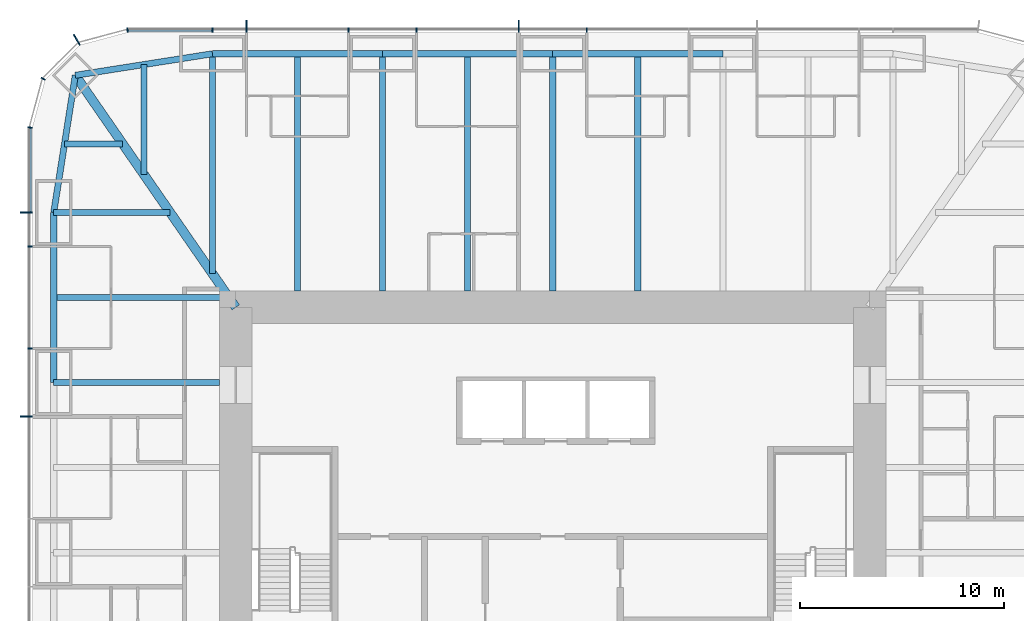
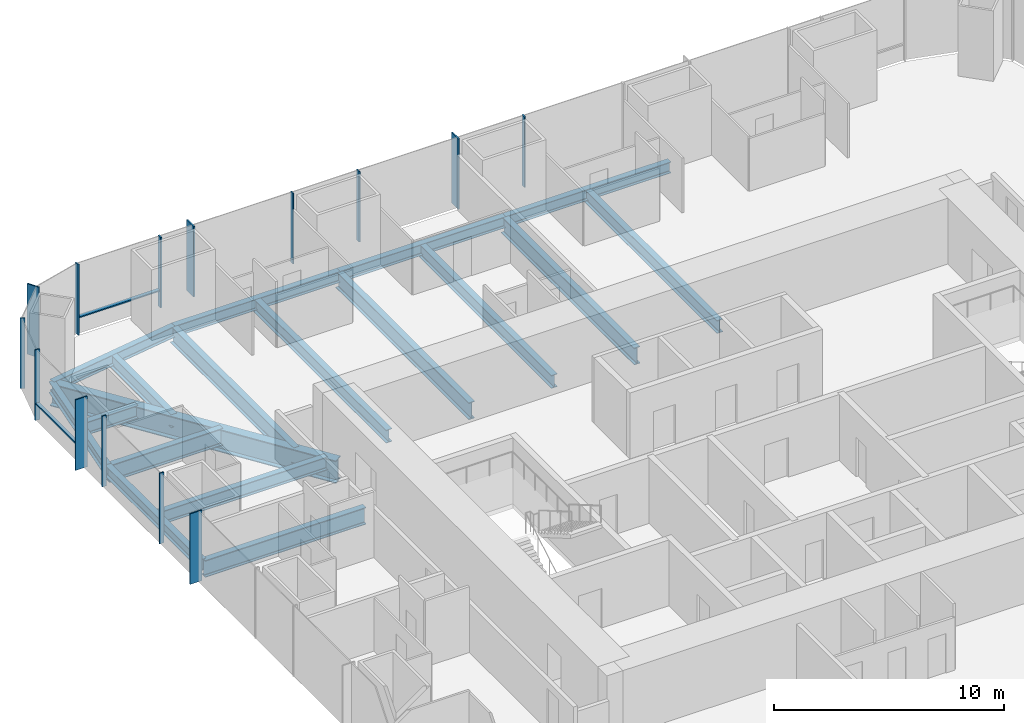
# One storey, part 5 of 13: 18 beams, 16 members, 3 elements without a shape of their own.
"""IFC4 building model written with IfcOpenShell, lengths in metres."""

from ifc_helpers import new_model, si_unit, direction, frame, origin, origin_2d, place, context, subcontext, project, spatial, rectangle, i_section, extrude, material, material_profile, profile_set, type_object, element, aggregate, save


model = new_model("IFC4")

# Units and contexts
model_context = context("Model", 3, precision=1e-05, world=origin(), true_north=direction((0.0, 1.0)))
body_context = subcontext(model_context, "Body", "Model", "MODEL_VIEW")
ifc_project = project(units=[si_unit("LENGTHUNIT", "METRE"), si_unit("AREAUNIT", "SQUARE_METRE"), si_unit("VOLUMEUNIT", "CUBIC_METRE"), si_unit("PLANEANGLEUNIT", "RADIAN"), si_unit("MASSUNIT", "GRAM", prefix="KILO")], contexts=[model_context])

# Site, building, storey
site_placement = place(None, origin())
site = spatial("IfcSite", under=ifc_project, at=site_placement, CompositionType="ELEMENT")
building_placement = place(site_placement, origin())
building = spatial("IfcBuilding", under=site, at=building_placement, Name="Khuree Lantern Residences", CompositionType="ELEMENT")
storey_placement = place(building_placement, frame((0.0, 0.0, 267.0)))
storey = spatial("IfcBuildingStorey", under=building, at=storey_placement, Name="L67", CompositionType="ELEMENT", Elevation=267.0)

# Beams
ifc_material_1 = material(Name="Steel S355", Category="steel")
ifc_material_profile_1 = material_profile(ifc_material_1, i_section(OverallWidth=0.300048828125, OverallDepth=0.68994140625, WebThickness=0.014404296875, FlangeThickness=0.027099609375, FilletRadius=0.027099609375, at=origin_2d()), Name="HE 700 A")
ifc_profile_set_1 = profile_set([ifc_material_profile_1], Name="Steel S355")
beam_type_1 = type_object("IfcBeamType", Name="B-35 SECONDARY BEAM HE 700 A", PredefinedType="BEAM", material=ifc_profile_set_1)
for number, where, z_axis, x_axis, name in (
    (1, (-12.47998046875, 24.39990234375, -0.594970703125), (0.0, -1.0, 0.0), (1.0, 0.0, 0.0), "Secondary beam N1"),
    (2, (-4.159912109375, 24.39990234375, -0.594970703125), (0.0, -1.0, 0.0), (1.0, 0.0, 0.0), "Secondary beam N2"),
    (3, (4.159912109375, 24.39990234375, -0.594970703125), (0.0, -1.0, 0.0), (1.0, 0.0, 0.0), "Secondary beam N3"),
):
    element("IfcBeam", number, at=place(storey_placement, frame(where, z_axis=z_axis, x_axis=x_axis)), inside=storey, type_object=beam_type_1, Name=name, PredefinedType="BEAM", context=body_context, shape_type="SweptSolid", body=[
        extrude(i_section(OverallWidth=0.300048828125, OverallDepth=0.68994140625, WebThickness=0.014404296875, FlangeThickness=0.027099609375, FilletRadius=0.027099609375, at=origin_2d()), origin(), (0.0, 0.0, 1.0), 11.599853515625),
    ])
beam_1_placement = place(storey_placement, frame((-24.39990234375, 12.47998046875, -0.594970703125), z_axis=(1.0, 0.0, 0.0), x_axis=(0.0, 1.0, 0.0)))
element("IfcBeam", 4, at=beam_1_placement, inside=storey, type_object=beam_type_1, Name="Secondary beam W5", PredefinedType="BEAM", context=body_context, shape_type="SweptSolid", body=[
    extrude(i_section(OverallWidth=0.300048828125, OverallDepth=0.68994140625, WebThickness=0.014404296875, FlangeThickness=0.027099609375, FilletRadius=0.027099609375, at=origin_2d()), origin(), (0.0, 0.0, 1.0), 8.56787109375),
])
beam_2_placement = place(storey_placement, frame((-23.872802734375, 19.992919921875, -0.594970703125), z_axis=(1.0, 0.0, 0.0), x_axis=(0.0, 1.0, 0.0)))
element("IfcBeam", 5, at=beam_2_placement, inside=storey, type_object=beam_type_1, Name="Secondary beam W6", PredefinedType="BEAM", context=body_context, shape_type="SweptSolid", body=[
    extrude(i_section(OverallWidth=0.300048828125, OverallDepth=0.68994140625, WebThickness=0.014404296875, FlangeThickness=0.027099609375, FilletRadius=0.027099609375, at=origin_2d()), origin(), (0.0, 0.0, 1.0), 2.845703125),
])
beam_3_placement = place(storey_placement, frame((-19.992919921875, 23.872802734375, -0.594970703125), z_axis=(0.0, -1.0, 0.0), x_axis=(1.0, 0.0, 0.0)))
element("IfcBeam", 6, at=beam_3_placement, inside=storey, type_object=beam_type_1, Name="Secondary beam N6", PredefinedType="BEAM", context=body_context, shape_type="SweptSolid", body=[
    extrude(i_section(OverallWidth=0.300048828125, OverallDepth=0.68994140625, WebThickness=0.014404296875, FlangeThickness=0.027099609375, FilletRadius=0.027099609375, at=origin_2d()), origin(), (0.0, 0.0, 1.0), 5.375732421875),
])
ifc_material_profile_2 = material_profile(ifc_material_1, i_section(OverallWidth=0.300048828125, OverallDepth=0.590087890625, WebThickness=0.012939453125, FlangeThickness=0.02490234375, FilletRadius=0.027099609375, at=origin_2d()), Name="HE 600 A")
ifc_profile_set_2 = profile_set([ifc_material_profile_2], Name="Steel S355")
beam_type_2 = type_object("IfcBeamType", Name="E-35 SPANDREL BEAM HE 600 A", PredefinedType="SPANDREL", material=ifc_profile_set_2)
beam_4_placement = place(storey_placement, frame((-16.639892578125, 24.39990234375, -0.544921875), z_axis=(1.0, 0.0, 0.0), x_axis=(0.0, 1.0, 0.0)))
element("IfcBeam", 7, at=beam_4_placement, inside=storey, type_object=beam_type_2, Name="Spandrel beam N1", PredefinedType="SPANDREL", context=body_context, shape_type="SweptSolid", body=[
    extrude(i_section(OverallWidth=0.300048828125, OverallDepth=0.590087890625, WebThickness=0.012939453125, FlangeThickness=0.02490234375, FilletRadius=0.027099609375, at=origin_2d()), origin(), (0.0, 0.0, 1.0), 8.31982421875),
])
for number, where, z_axis, x_axis, name in (
    (8, (-8.320068359375, 24.39990234375, -0.544921875), (1.0, 0.0, 0.0), (0.0, 1.0, 0.0), "Spandrel beam N2"),
    (9, (0.0, 24.39990234375, -0.544921875), (1.0, 0.0, 0.0), (0.0, 1.0, 0.0), "Spandrel beam N3"),
):
    element("IfcBeam", number, at=place(storey_placement, frame(where, z_axis=z_axis, x_axis=x_axis)), inside=storey, type_object=beam_type_2, Name=name, PredefinedType="SPANDREL", context=body_context, shape_type="SweptSolid", body=[
        extrude(i_section(OverallWidth=0.300048828125, OverallDepth=0.590087890625, WebThickness=0.012939453125, FlangeThickness=0.02490234375, FilletRadius=0.027099609375, at=origin_2d()), origin(), (0.0, 0.0, 1.0), 8.320068359375),
    ])
beam_5_placement = place(storey_placement, frame((-24.39990234375, 8.320068359375, -0.544921875), z_axis=(0.0, 1.0, 0.0), x_axis=(-1.0, 0.0, 0.0)))
element("IfcBeam", 10, at=beam_5_placement, inside=storey, type_object=beam_type_2, Name="Spandrel beam W5", PredefinedType="SPANDREL", context=body_context, shape_type="SweptSolid", body=[
    extrude(i_section(OverallWidth=0.300048828125, OverallDepth=0.590087890625, WebThickness=0.012939453125, FlangeThickness=0.02490234375, FilletRadius=0.027099609375, at=origin_2d()), origin(), (0.0, 0.0, 1.0), 8.31982421875),
])
for number, where, z_axis, x_axis, name in (
    (11, (-24.39990234375, 16.639892578125, -0.544921875), (0.155299507442, 0.98786743189, 0.0), (-0.98786743189, 0.155299507442, 0.0), "Spandrel beam W6"),
    (12, (-23.345703125, 23.345703125, -0.544921875), (0.98786743189, 0.155299507442, 0.0), (-0.155299507442, 0.98786743189, 0.0), "Spandrel beam N6"),
):
    element("IfcBeam", number, at=place(storey_placement, frame(where, z_axis=z_axis, x_axis=x_axis)), inside=storey, type_object=beam_type_2, Name=name, PredefinedType="SPANDREL", context=body_context, shape_type="SweptSolid", body=[
        extrude(i_section(OverallWidth=0.300048828125, OverallDepth=0.590087890625, WebThickness=0.012939453125, FlangeThickness=0.02490234375, FilletRadius=0.027099609375, at=origin_2d()), origin(), (0.0, 0.0, 1.0), 6.7880859375),
    ])

# Curtain wall, members
ifc_material_2 = material(Name="Bronze anodised aluminium", Category="aluminium")
curtain_wall_type_1 = type_object("IfcCurtainWallType", Name="CW-T1 TOWER FACE CURTAIN WALL", PredefinedType="USERDEFINED", material=ifc_material_2)
curtain_wall_1_placement = place(storey_placement, origin())
curtain_wall_1 = element("IfcCurtainWall", 13, at=curtain_wall_1_placement, inside=storey, type_object=curtain_wall_type_1, Name="L67 NORTH FACE CURTAIN WALL", ObjectType="Stick-built curtain wall", PredefinedType="USERDEFINED")
ifc_material_profile_3 = material_profile(ifc_material_2, rectangle(XDim=0.06494140625, YDim=0.60009765625, at=origin_2d()), Name="F1 65X600")
ifc_profile_set_3 = profile_set([ifc_material_profile_3], Name="Bronze anodised aluminium")
member_type_1 = type_object("IfcMemberType", Name="F1 BRONZE FIN MULLION TOWER 65X600", PredefinedType="MULLION", material=ifc_profile_set_3)
member_1_placement = place(storey_placement, frame((-1.6640625, 25.75, 0.0), z_axis=(0.0, 0.0, 1.0), x_axis=(-1.0, 0.0, 0.0)))
member_1 = element("IfcMember", 14, at=member_1_placement, type_object=member_type_1, Name="L67 NORTH FACE FIN MULLION 24", PredefinedType="MULLION", context=body_context, shape_type="SweptSolid", body=[
    extrude(rectangle(XDim=0.06494140625, YDim=0.60009765625, at=origin_2d()), origin(), (0.0, 0.0, 1.0), 3.75),
])
member_2_placement = place(storey_placement, frame((-14.97607421875, 25.75, 0.0), z_axis=(0.0, 0.0, 1.0), x_axis=(-1.0, 0.0, 0.0)))
member_2 = element("IfcMember", 15, at=member_2_placement, type_object=member_type_1, Name="L67 NORTH FACE FIN MULLION 27", PredefinedType="MULLION", context=body_context, shape_type="SweptSolid", body=[
    extrude(rectangle(XDim=0.06494140625, YDim=0.60009765625, at=origin_2d()), origin(), (0.0, 0.0, 1.0), 3.75),
])

# Curtain wall, member
curtain_wall_type_2 = type_object("IfcCurtainWallType", Name="CW-T2 TOWER CORNER CURTAIN WALL", PredefinedType="USERDEFINED", material=ifc_material_2)
curtain_wall_2_placement = place(storey_placement, origin())
curtain_wall_2 = element("IfcCurtainWall", 16, at=curtain_wall_2_placement, inside=storey, type_object=curtain_wall_type_2, Name="L67 NORTH-WEST CORNER CURTAIN WALL", ObjectType="Faceted corner curtain wall", PredefinedType="USERDEFINED")
member_3_placement = place(storey_placement, frame((-23.27490234375, 25.0869140625, 0.0), z_axis=(0.0, 0.0, 1.0), x_axis=(-0.866025409797, -0.499999989586, 0.0)))
member_3 = element("IfcMember", 17, at=member_3_placement, type_object=member_type_1, Name="L67 NORTH-WEST CORNER FIN MULLION 30", PredefinedType="MULLION", context=body_context, shape_type="SweptSolid", body=[
    extrude(rectangle(XDim=0.06494140625, YDim=0.60009765625, at=origin_2d()), origin(), (0.0, 0.0, 1.0), 3.75),
])

# Curtain wall, members
curtain_wall_3_placement = place(storey_placement, origin())
curtain_wall_3 = element("IfcCurtainWall", 18, at=curtain_wall_3_placement, inside=storey, type_object=curtain_wall_type_1, Name="L67 WEST FACE CURTAIN WALL", ObjectType="Stick-built curtain wall", PredefinedType="USERDEFINED")
member_4_placement = place(storey_placement, frame((-25.75, 16.639892578125, 0.0), z_axis=(0.0, 0.0, 1.0), x_axis=(0.0, -1.0, 0.0)))
member_4 = element("IfcMember", 19, at=member_4_placement, type_object=member_type_1, Name="L67 WEST FACE FIN MULLION 33", PredefinedType="MULLION", context=body_context, shape_type="SweptSolid", body=[
    extrude(rectangle(XDim=0.06494140625, YDim=0.60009765625, at=origin_2d()), origin(), (0.0, 0.0, 1.0), 3.75),
])
member_5_placement = place(storey_placement, frame((-25.75, 6.656005859375, 0.0), z_axis=(0.0, 0.0, 1.0), x_axis=(0.0, -1.0, 0.0)))
member_5 = element("IfcMember", 20, at=member_5_placement, type_object=member_type_1, Name="L67 WEST FACE FIN MULLION 36", PredefinedType="MULLION", context=body_context, shape_type="SweptSolid", body=[
    extrude(rectangle(XDim=0.06494140625, YDim=0.60009765625, at=origin_2d()), origin(), (0.0, 0.0, 1.0), 3.75),
])

# Beams
ifc_material_profile_4 = material_profile(ifc_material_1, i_section(OverallWidth=0.300048828125, OverallDepth=0.89990234375, WebThickness=0.0185546875, FlangeThickness=0.034912109375, FilletRadius=0.030029296875, at=origin_2d()), Name="HE 900 B")
ifc_profile_set_4 = profile_set([ifc_material_profile_4], Name="Steel S355")
beam_type_3 = type_object("IfcBeamType", Name="G-35 GIRDER HE 900 B", PredefinedType="BEAM", material=ifc_profile_set_4)
beam_6_placement = place(storey_placement, frame((-16.639892578125, 24.39990234375, -0.699951171875), z_axis=(0.0, -1.0, 0.0), x_axis=(1.0, 0.0, 0.0)))
element("IfcBeam", 21, at=beam_6_placement, inside=storey, type_object=beam_type_3, Name="Girder N1", PredefinedType="BEAM", context=body_context, shape_type="SweptSolid", body=[
    extrude(i_section(OverallWidth=0.300048828125, OverallDepth=0.89990234375, WebThickness=0.0185546875, FlangeThickness=0.034912109375, FilletRadius=0.030029296875, at=origin_2d()), origin(), (0.0, 0.0, 1.0), 10.751220703125),
])
for number, where, z_axis, x_axis, name in (
    (22, (-8.320068359375, 24.39990234375, -0.699951171875), (0.0, -1.0, 0.0), (1.0, 0.0, 0.0), "Girder N2"),
    (23, (0.0, 24.39990234375, -0.699951171875), (0.0, -1.0, 0.0), (1.0, 0.0, 0.0), "Girder N3"),
):
    element("IfcBeam", number, at=place(storey_placement, frame(where, z_axis=z_axis, x_axis=x_axis)), inside=storey, type_object=beam_type_3, Name=name, PredefinedType="BEAM", context=body_context, shape_type="SweptSolid", body=[
        extrude(i_section(OverallWidth=0.300048828125, OverallDepth=0.89990234375, WebThickness=0.0185546875, FlangeThickness=0.034912109375, FilletRadius=0.030029296875, at=origin_2d()), origin(), (0.0, 0.0, 1.0), 11.599853515625),
    ])
beam_7_placement = place(storey_placement, frame((-24.39990234375, 8.320068359375, -0.699951171875), z_axis=(1.0, 0.0, 0.0), x_axis=(0.0, 1.0, 0.0)))
element("IfcBeam", 24, at=beam_7_placement, inside=storey, type_object=beam_type_3, Name="Girder W4", PredefinedType="BEAM", context=body_context, shape_type="SweptSolid", body=[
    extrude(i_section(OverallWidth=0.300048828125, OverallDepth=0.89990234375, WebThickness=0.0185546875, FlangeThickness=0.034912109375, FilletRadius=0.030029296875, at=origin_2d()), origin(), (0.0, 0.0, 1.0), 8.099853515625),
])
beam_8_placement = place(storey_placement, frame((-24.39990234375, 16.639892578125, -0.699951171875), z_axis=(1.0, 0.0, 0.0), x_axis=(0.0, 1.0, 0.0)))
element("IfcBeam", 25, at=beam_8_placement, inside=storey, type_object=beam_type_3, Name="Girder W5", PredefinedType="BEAM", context=body_context, shape_type="SweptSolid", body=[
    extrude(i_section(OverallWidth=0.300048828125, OverallDepth=0.89990234375, WebThickness=0.0185546875, FlangeThickness=0.034912109375, FilletRadius=0.030029296875, at=origin_2d()), origin(), (0.0, 0.0, 1.0), 5.69140625),
])
ifc_material_profile_5 = material_profile(ifc_material_1, i_section(OverallWidth=0.449951171875, OverallDepth=1.199951171875, WebThickness=0.02490234375, FlangeThickness=0.044921875, at=origin_2d()), Name="WELDED I 1200X450X25X45")
ifc_profile_set_5 = profile_set([ifc_material_profile_5], Name="Steel S355")
beam_type_4 = type_object("IfcBeamType", Name="GD-35 CORNER GIRDER WELDED I 1200X450X25X45", PredefinedType="BEAM", material=ifc_profile_set_5)
beam_9_placement = place(storey_placement, frame((-23.345703125, 23.345703125, -0.85009765625), z_axis=(0.56876813501, -0.822497907959, 0.0), x_axis=(0.822497907959, 0.56876813501, 0.0)))
element("IfcBeam", 26, at=beam_9_placement, inside=storey, type_object=beam_type_4, Name="Corner girder NW", PredefinedType="BEAM", context=body_context, shape_type="SweptSolid", body=[
    extrude(i_section(OverallWidth=0.449951171875, OverallDepth=1.199951171875, WebThickness=0.02490234375, FlangeThickness=0.044921875, at=origin_2d()), origin(), (0.0, 0.0, 1.0), 13.794189453125),
])

# Member
ifc_material_profile_6 = material_profile(ifc_material_2, rectangle(XDim=0.06494140625, YDim=0.219970703125, at=origin_2d()), Name="M1 65X220")
ifc_profile_set_6 = profile_set([ifc_material_profile_6], Name="Bronze anodised aluminium")
member_type_2 = type_object("IfcMemberType", Name="M1 BRONZE MULLION TOWER 65X220", PredefinedType="MULLION", material=ifc_profile_set_6)
member_6_placement = place(storey_placement, frame((1.6640625, 25.56005859375, 0.0), z_axis=(0.0, 0.0, 1.0), x_axis=(-1.0, 0.0, 0.0)))
member_6 = element("IfcMember", 27, at=member_6_placement, type_object=member_type_2, Name="L67 NORTH FACE MULLION 23", PredefinedType="MULLION", context=body_context, shape_type="SweptSolid", body=[
    extrude(rectangle(XDim=0.06494140625, YDim=0.219970703125, at=origin_2d()), origin(), (0.0, 0.0, 1.0), 3.75),
])

member_7_placement = place(storey_placement, frame((-6.656005859375, 25.56005859375, 0.0), z_axis=(0.0, 0.0, 1.0), x_axis=(-1.0, 0.0, 0.0)))
member_7 = element("IfcMember", 28, at=member_7_placement, type_object=member_type_2, Name="L67 NORTH FACE MULLION 25", PredefinedType="MULLION", context=body_context, shape_type="SweptSolid", body=[
    extrude(rectangle(XDim=0.06494140625, YDim=0.219970703125, at=origin_2d()), origin(), (0.0, 0.0, 1.0), 3.75),
])

member_8_placement = place(storey_placement, frame((-9.98388671875, 25.56005859375, 0.0), z_axis=(0.0, 0.0, 1.0), x_axis=(-1.0, 0.0, 0.0)))
member_8 = element("IfcMember", 29, at=member_8_placement, type_object=member_type_2, Name="L67 NORTH FACE MULLION 26", PredefinedType="MULLION", context=body_context, shape_type="SweptSolid", body=[
    extrude(rectangle(XDim=0.06494140625, YDim=0.219970703125, at=origin_2d()), origin(), (0.0, 0.0, 1.0), 3.75),
])

member_9_placement = place(storey_placement, frame((-16.639892578125, 25.56005859375, 0.0), z_axis=(0.0, 0.0, 1.0), x_axis=(-1.0, 0.0, 0.0)))
member_9 = element("IfcMember", 30, at=member_9_placement, type_object=member_type_2, Name="L67 NORTH FACE MULLION 28", PredefinedType="MULLION", context=body_context, shape_type="SweptSolid", body=[
    extrude(rectangle(XDim=0.06494140625, YDim=0.219970703125, at=origin_2d()), origin(), (0.0, 0.0, 1.0), 3.75),
])

member_10_placement = place(storey_placement, frame((-20.794921875, 25.561767578125, 0.0), z_axis=(0.0, 0.0, 1.0), x_axis=(-0.991444862943, -0.130526180298, 0.0)))
member_10 = element("IfcMember", 31, at=member_10_placement, type_object=member_type_2, Name="L67 NORTH-WEST CORNER MULLION 29", PredefinedType="MULLION", context=body_context, shape_type="SweptSolid", body=[
    extrude(rectangle(XDim=0.06494140625, YDim=0.219970703125, at=origin_2d()), origin(), (0.0, 0.0, 1.0), 3.75),
])

member_11_placement = place(storey_placement, frame((-24.92236328125, 23.179931640625, 0.0), z_axis=(0.0, 0.0, 1.0), x_axis=(-0.499999989586, -0.866025409797, 0.0)))
member_11 = element("IfcMember", 32, at=member_11_placement, type_object=member_type_2, Name="L67 NORTH-WEST CORNER MULLION 31", PredefinedType="MULLION", context=body_context, shape_type="SweptSolid", body=[
    extrude(rectangle(XDim=0.06494140625, YDim=0.219970703125, at=origin_2d()), origin(), (0.0, 0.0, 1.0), 3.75),
])

aggregate(curtain_wall_2, [member_10, member_3, member_11])

member_12_placement = place(storey_placement, frame((-25.561767578125, 20.794921875, 0.0), z_axis=(0.0, 0.0, 1.0), x_axis=(-0.130526180298, -0.991444862943, 0.0)))
member_12 = element("IfcMember", 33, at=member_12_placement, type_object=member_type_2, Name="L67 WEST FACE MULLION 32", PredefinedType="MULLION", context=body_context, shape_type="SweptSolid", body=[
    extrude(rectangle(XDim=0.06494140625, YDim=0.219970703125, at=origin_2d()), origin(), (0.0, 0.0, 1.0), 3.75),
])

member_13_placement = place(storey_placement, frame((-25.56005859375, 14.97607421875, 0.0), z_axis=(0.0, 0.0, 1.0), x_axis=(0.0, -1.0, 0.0)))
member_13 = element("IfcMember", 34, at=member_13_placement, type_object=member_type_2, Name="L67 WEST FACE MULLION 34", PredefinedType="MULLION", context=body_context, shape_type="SweptSolid", body=[
    extrude(rectangle(XDim=0.06494140625, YDim=0.219970703125, at=origin_2d()), origin(), (0.0, 0.0, 1.0), 3.75),
])

member_14_placement = place(storey_placement, frame((-25.56005859375, 9.98388671875, 0.0), z_axis=(0.0, 0.0, 1.0), x_axis=(0.0, -1.0, 0.0)))
member_14 = element("IfcMember", 35, at=member_14_placement, type_object=member_type_2, Name="L67 WEST FACE MULLION 35", PredefinedType="MULLION", context=body_context, shape_type="SweptSolid", body=[
    extrude(rectangle(XDim=0.06494140625, YDim=0.219970703125, at=origin_2d()), origin(), (0.0, 0.0, 1.0), 3.75),
])

ifc_material_profile_7 = material_profile(ifc_material_2, rectangle(XDim=0.179931640625, YDim=0.06494140625, at=origin_2d()), Name="T1 180X65")
ifc_profile_set_7 = profile_set([ifc_material_profile_7], Name="Bronze anodised aluminium")
member_type_3 = type_object("IfcMemberType", Name="TRANSOM T1 TOWER 180X65", PredefinedType="USERDEFINED", material=ifc_profile_set_7)
member_15_placement = place(storey_placement, frame((-16.672607421875, 25.570068359375, 0.89990234375), z_axis=(-1.0, 0.0, 0.0), x_axis=(0.0, -1.0, 0.0)))
member_15 = element("IfcMember", 36, at=member_15_placement, type_object=member_type_3, Name="L67 NORTH FACE TRANSOM 28.1", ObjectType="Transom", PredefinedType="USERDEFINED", context=body_context, shape_type="SweptSolid", body=[
    extrude(rectangle(XDim=0.179931640625, YDim=0.06494140625, at=origin_2d()), origin(), (0.0, 0.0, 1.0), 4.078857421875),
])

aggregate(curtain_wall_1, [member_6, member_1, member_7, member_8, member_2, member_9, member_15])

member_16_placement = place(storey_placement, frame((-25.570068359375, 20.75146484375, 0.89990234375), z_axis=(0.0, -1.0, 0.0), x_axis=(1.0, 0.0, 0.0)))
member_16 = element("IfcMember", 37, at=member_16_placement, type_object=member_type_3, Name="L67 WEST FACE TRANSOM 32.1", ObjectType="Transom", PredefinedType="USERDEFINED", context=body_context, shape_type="SweptSolid", body=[
    extrude(rectangle(XDim=0.179931640625, YDim=0.06494140625, at=origin_2d()), origin(), (0.0, 0.0, 1.0), 4.078857421875),
])

aggregate(curtain_wall_3, [member_12, member_4, member_13, member_14, member_5, member_16])

save(model, "model.ifc")
